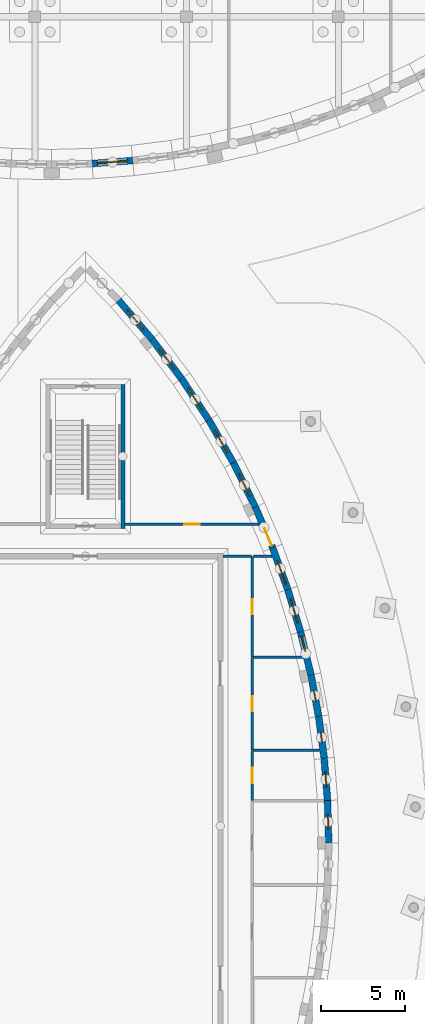
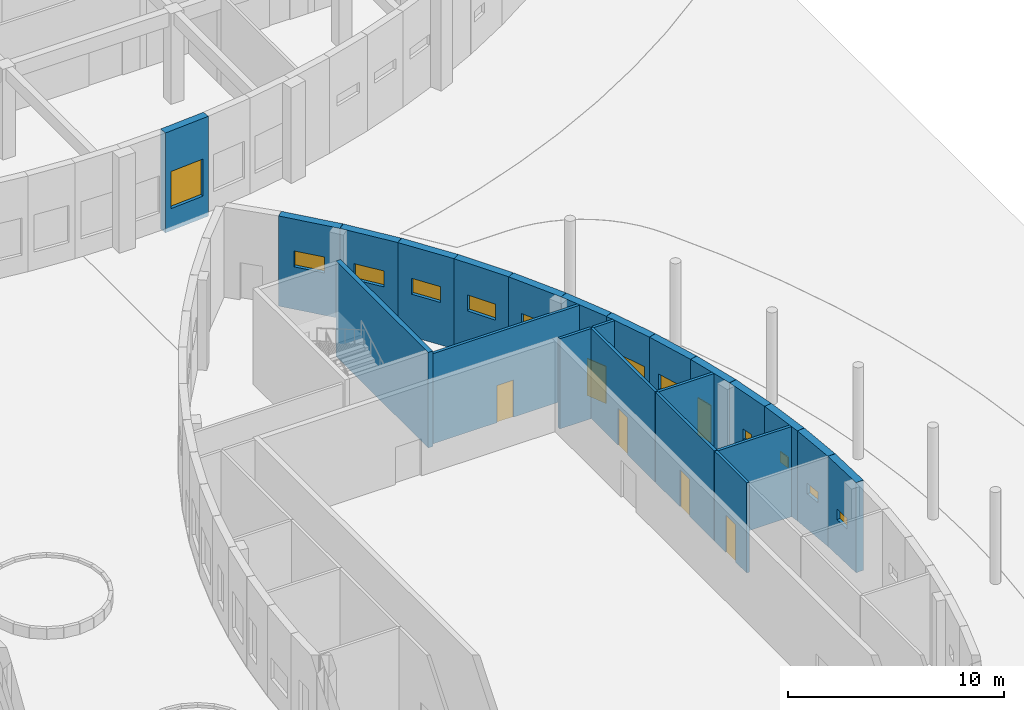
# One storey, part 66 of 82: 23 walls, 13 windows, 5 doors, 18 openings.
"""IFC4 building model written with IfcOpenShell, lengths in metres."""

from ifc_helpers import new_model, si_unit, direction, frame, frame_2d, origin, place, context, subcontext, project, spatial, rectangle, extrude, material, layer, layer_set, type_object, element, fill, save


model = new_model("IFC4")

# Units and contexts
model_context = context("Model", 3, precision=1e-05, world=origin(), true_north=direction((0.0, 1.0)))
body_context = subcontext(model_context, "Body", "Model", "MODEL_VIEW")
ifc_project = project(units=[si_unit("LENGTHUNIT", "METRE"), si_unit("AREAUNIT", "SQUARE_METRE"), si_unit("VOLUMEUNIT", "CUBIC_METRE"), si_unit("PLANEANGLEUNIT", "RADIAN"), si_unit("MASSUNIT", "GRAM", prefix="KILO")], contexts=[model_context])

# Site, building, storey
site_placement = place(None, origin())
site = spatial("IfcSite", under=ifc_project, at=site_placement, CompositionType="ELEMENT")
building_placement = place(site_placement, origin())
building = spatial("IfcBuilding", under=site, at=building_placement, Name="Tide Square Theatres", CompositionType="ELEMENT")
storey_placement = place(building_placement, origin())
storey = spatial("IfcBuildingStorey", under=building, at=storey_placement, Name="L00", CompositionType="ELEMENT", Elevation=0.0)

# Wall
ifc_material_1 = material(Name="Gypsum board on steel studs", Category="steel")
ifc_layer_1 = layer(ifc_material_1, 0.14990234375)
ifc_layer_set_1 = layer_set([ifc_layer_1], Name="Gypsum board on steel studs")
wall_type_1 = type_object("IfcWallType", Name="Partition 150 thick", PredefinedType="PARTITIONING", material=ifc_layer_set_1)
wall_1_placement = place(storey_placement, frame((141.840087890625, 62.0, 0.0), z_axis=(0.0, 0.0, 1.0), x_axis=(-1.0, 0.0, 0.0)))
element("IfcWall", 1, at=wall_1_placement, inside=storey, type_object=wall_type_1, Name="Black Box Theatre partition", PredefinedType="PARTITIONING", context=body_context, shape_type="SweptSolid", body=[
    extrude(rectangle(XDim=1.690673828125, YDim=0.14990234375, at=frame_2d((0.84521484375, 0.0))), origin(), (0.0, 0.0, 1.0), 5.10009765625),
])

# Wall, opening, door
wall_2_placement = place(storey_placement, frame((134.349609375, 63.89990234375, 0.0), z_axis=(0.0, 0.0, 1.0), x_axis=(1.0, 0.0, 0.0)))
wall_2 = element("IfcWall", 2, at=wall_2_placement, inside=storey, type_object=wall_type_1, Name="Black Box Theatre partition", PredefinedType="PARTITIONING", context=body_context, shape_type="SweptSolid", body=[
    extrude(rectangle(XDim=7.9462890625, YDim=0.14990234375, at=frame_2d((3.97314453125, 0.0))), origin(), (0.0, 0.0, 1.0), 5.10009765625),
])
opening_1_placement = place(wall_2_placement, frame((3.523193359375, 0.0, 0.0)))
opening_1 = element("IfcOpeningElement", 3, at=opening_1_placement, cuts=wall_2, Name="Opening B00-10", PredefinedType="OPENING", context=body_context, shape_type="SweptSolid", body=[
    extrude(rectangle(XDim=0.89990234375, YDim=2.10009765625, at=frame_2d((0.449951171875, 1.050048828125))), frame((0.0, 0.0849609375, 0.0), z_axis=(0.0, -1.0, 0.0), x_axis=(1.0, 0.0, 0.0)), (0.0, 0.0, 1.0), 0.169921875),
])
ifc_material_2 = material(Name="Hardwood timber", Category="wood")
door_type_1 = type_object("IfcDoorType", Name="Door 900 x 2100 single leaf", OperationType="NOTDEFINED", PredefinedType="DOOR", material=ifc_material_2)
door_1_placement = place(opening_1_placement, origin())
door_1 = element("IfcDoor", 4, at=door_1_placement, inside=storey, type_object=door_type_1, Name="Lighting Store door", OperationType="SINGLE_SWING_RIGHT", OverallHeight=2.10009765625, OverallWidth=0.89990234375, PredefinedType="DOOR", context=body_context, shape_type="SweptSolid", body=[
    extrude(rectangle(XDim=0.89990234375, YDim=2.10009765625, at=frame_2d((0.449951171875, 1.050048828125))), frame((0.0, 0.02490234375, 0.0), z_axis=(0.0, -1.0, 0.0), x_axis=(1.0, 0.0, 0.0)), (0.0, 0.0, 1.0), 0.050048828125),
])
fill(opening_1, door_1)

# Wall
wall_3_placement = place(storey_placement, frame((143.067138671875, 62.0, 0.0), z_axis=(0.0, 0.0, 1.0), x_axis=(-1.0, 0.0, 0.0)))
element("IfcWall", 5, at=wall_3_placement, inside=storey, type_object=wall_type_1, Name="Black Box Theatre partition", PredefinedType="PARTITIONING", context=body_context, shape_type="SweptSolid", body=[
    extrude(rectangle(XDim=1.107177734375, YDim=0.14990234375, at=frame_2d((0.5537109375, 0.0))), origin(), (0.0, 0.0, 1.0), 5.10009765625),
])

# Wall, opening, door
wall_4_placement = place(storey_placement, frame((141.89990234375, 50.47998046875, 0.0), z_axis=(0.0, 0.0, 1.0), x_axis=(0.0, -1.0, 0.0)))
wall_4 = element("IfcWall", 6, at=wall_4_placement, inside=storey, type_object=wall_type_1, Name="Black Box Theatre partition", PredefinedType="PARTITIONING", context=body_context, shape_type="SweptSolid", body=[
    extrude(rectangle(XDim=2.9599609375, YDim=0.14990234375, at=frame_2d((1.47998046875, 0.0))), origin(), (0.0, 0.0, 1.0), 5.10009765625),
])
opening_2_placement = place(wall_4_placement, frame((1.030029296875, 0.0, 0.0)))
opening_2 = element("IfcOpeningElement", 7, at=opening_2_placement, cuts=wall_4, Name="Opening B00-19", PredefinedType="OPENING", context=body_context, shape_type="SweptSolid", body=[
    extrude(rectangle(XDim=0.89990234375, YDim=2.10009765625, at=frame_2d((0.449951171875, 1.050048828125))), frame((0.0, 0.0849609375, 0.0), z_axis=(0.0, -1.0, 0.0), x_axis=(1.0, 0.0, 0.0)), (0.0, 0.0, 1.0), 0.169921875),
])
door_2_placement = place(opening_2_placement, origin())
door_2 = element("IfcDoor", 8, at=door_2_placement, inside=storey, type_object=door_type_1, Name="Accessible WC door", OperationType="SINGLE_SWING_RIGHT", OverallHeight=2.10009765625, OverallWidth=0.89990234375, PredefinedType="DOOR", context=body_context, shape_type="SweptSolid", body=[
    extrude(rectangle(XDim=0.89990234375, YDim=2.10009765625, at=frame_2d((0.449951171875, 1.050048828125))), frame((0.0, 0.02490234375, 0.0), z_axis=(0.0, -1.0, 0.0), x_axis=(1.0, 0.0, 0.0)), (0.0, 0.0, 1.0), 0.050048828125),
])
fill(opening_2, door_2)

wall_5_placement = place(storey_placement, frame((141.89990234375, 55.97998046875, 0.0), z_axis=(0.0, 0.0, 1.0), x_axis=(0.0, -1.0, 0.0)))
wall_5 = element("IfcWall", 9, at=wall_5_placement, inside=storey, type_object=wall_type_1, Name="Black Box Theatre partition", PredefinedType="PARTITIONING", context=body_context, shape_type="SweptSolid", body=[
    extrude(rectangle(XDim=5.4599609375, YDim=0.14990234375, at=frame_2d((2.72998046875, 0.0))), origin(), (0.0, 0.0, 1.0), 5.10009765625),
])
opening_3_placement = place(wall_5_placement, frame((2.280029296875, 0.0, 0.0)))
opening_3 = element("IfcOpeningElement", 10, at=opening_3_placement, cuts=wall_5, Name="Opening B00-20", PredefinedType="OPENING", context=body_context, shape_type="SweptSolid", body=[
    extrude(rectangle(XDim=0.89990234375, YDim=2.10009765625, at=frame_2d((0.449951171875, 1.050048828125))), frame((0.0, 0.0849609375, 0.0), z_axis=(0.0, -1.0, 0.0), x_axis=(1.0, 0.0, 0.0)), (0.0, 0.0, 1.0), 0.169921875),
])
door_3_placement = place(opening_3_placement, origin())
door_3 = element("IfcDoor", 11, at=door_3_placement, inside=storey, type_object=door_type_1, Name="Plant Room 02 door", OperationType="SINGLE_SWING_RIGHT", OverallHeight=2.10009765625, OverallWidth=0.89990234375, PredefinedType="DOOR", context=body_context, shape_type="SweptSolid", body=[
    extrude(rectangle(XDim=0.89990234375, YDim=2.10009765625, at=frame_2d((0.449951171875, 1.050048828125))), frame((0.0, 0.02490234375, 0.0), z_axis=(0.0, -1.0, 0.0), x_axis=(1.0, 0.0, 0.0)), (0.0, 0.0, 1.0), 0.050048828125),
])
fill(opening_3, door_3)

wall_6_placement = place(storey_placement, frame((141.89990234375, 61.97998046875, 0.0), z_axis=(0.0, 0.0, 1.0), x_axis=(0.0, -1.0, 0.0)))
wall_6 = element("IfcWall", 12, at=wall_6_placement, inside=storey, type_object=wall_type_1, Name="Black Box Theatre partition", PredefinedType="PARTITIONING", context=body_context, shape_type="SweptSolid", body=[
    extrude(rectangle(XDim=5.9599609375, YDim=0.14990234375, at=frame_2d((2.97998046875, 0.0))), origin(), (0.0, 0.0, 1.0), 5.10009765625),
])
opening_4_placement = place(wall_6_placement, frame((2.530029296875, 0.0, 0.0)))
opening_4 = element("IfcOpeningElement", 13, at=opening_4_placement, cuts=wall_6, Name="Opening B00-21", PredefinedType="OPENING", context=body_context, shape_type="SweptSolid", body=[
    extrude(rectangle(XDim=0.89990234375, YDim=2.10009765625, at=frame_2d((0.449951171875, 1.050048828125))), frame((0.0, 0.0849609375, 0.0), z_axis=(0.0, -1.0, 0.0), x_axis=(1.0, 0.0, 0.0)), (0.0, 0.0, 1.0), 0.169921875),
])
door_4_placement = place(opening_4_placement, origin())
door_4 = element("IfcDoor", 14, at=door_4_placement, inside=storey, type_object=door_type_1, Name="Store 01 door", OperationType="SINGLE_SWING_RIGHT", OverallHeight=2.10009765625, OverallWidth=0.89990234375, PredefinedType="DOOR", context=body_context, shape_type="SweptSolid", body=[
    extrude(rectangle(XDim=0.89990234375, YDim=2.10009765625, at=frame_2d((0.449951171875, 1.050048828125))), frame((0.0, 0.02490234375, 0.0), z_axis=(0.0, -1.0, 0.0), x_axis=(1.0, 0.0, 0.0)), (0.0, 0.0, 1.0), 0.050048828125),
])
fill(opening_4, door_4)

# Walls
wall_7_placement = place(storey_placement, frame((141.9599609375, 50.5, 0.0), z_axis=(0.0, 0.0, 1.0), x_axis=(1.0, 0.0, 0.0)))
element("IfcWall", 15, at=wall_7_placement, inside=storey, type_object=wall_type_1, Name="Black Box Theatre partition", PredefinedType="PARTITIONING", context=body_context, shape_type="SweptSolid", body=[
    extrude(rectangle(XDim=3.937744140625, YDim=0.14990234375, at=frame_2d((1.96875, 0.0))), origin(), (0.0, 0.0, 1.0), 5.10009765625),
])
wall_8_placement = place(storey_placement, frame((141.9599609375, 56.0, 0.0), z_axis=(0.0, 0.0, 1.0), x_axis=(1.0, 0.0, 0.0)))
element("IfcWall", 16, at=wall_8_placement, inside=storey, type_object=wall_type_1, Name="Black Box Theatre partition", PredefinedType="PARTITIONING", context=body_context, shape_type="SweptSolid", body=[
    extrude(rectangle(XDim=2.9609375, YDim=0.14990234375, at=frame_2d((1.48046875, 0.0))), origin(), (0.0, 0.0, 1.0), 5.10009765625),
])

# Wall, opening, window
ifc_material_3 = material(Name="Concrete C40", Category="concrete")
ifc_layer_2 = layer(ifc_material_3, 0.39990234375)
ifc_layer_set_2 = layer_set([ifc_layer_2], Name="Concrete C40")
wall_type_2 = type_object("IfcWallType", Name="RC curved wall 400 thick", PredefinedType="SOLIDWALL", material=ifc_layer_set_2)
wall_9_placement = place(storey_placement, frame((146.427001953125, 45.005126953125, 0.0), z_axis=(0.0, 0.0, 1.0), x_axis=(-0.026296399089, 0.999654189905, 0.0)))
wall_9 = element("IfcWall", 17, at=wall_9_placement, inside=storey, type_object=wall_type_2, Name="Black Box Theatre perimeter wall", PredefinedType="SOLIDWALL", context=body_context, shape_type="SweptSolid", body=[
    extrude(rectangle(XDim=2.49755859375, YDim=0.39990234375, at=frame_2d((1.248779296875, 0.0))), origin(), (0.0, 0.0, 1.0), 5.10009765625),
])
opening_5_placement = place(wall_9_placement, frame((0.798583984375, 0.0, 2.0)))
opening_5 = element("IfcOpeningElement", 18, at=opening_5_placement, cuts=wall_9, Name="Opening WN-12", PredefinedType="OPENING", context=body_context, shape_type="SweptSolid", body=[
    extrude(rectangle(XDim=0.89990234375, YDim=0.60009765625, at=frame_2d((0.449951171875, 0.300048828125))), frame((0.0, 0.2099609375, 0.0), z_axis=(0.0, -1.0, 0.0), x_axis=(1.0, 0.0, 0.0)), (0.0, 0.0, 1.0), 0.419921875),
])
ifc_material_4 = material(Name="Aluminium with laminated glass", Category="aluminium")
window_type_1 = type_object("IfcWindowType", Name="Window 900 x 600", PartitioningType="SINGLE_PANEL", PredefinedType="WINDOW", material=ifc_material_4)
window_1_placement = place(opening_5_placement, origin())
window_1 = element("IfcWindow", 19, at=window_1_placement, inside=storey, type_object=window_type_1, Name="Black Box Theatre Men's WC window", OverallHeight=0.60009765625, OverallWidth=0.89990234375, PartitioningType="SINGLE_PANEL", PredefinedType="WINDOW", context=body_context, shape_type="SweptSolid", body=[
    extrude(rectangle(XDim=0.89990234375, YDim=0.60009765625, at=frame_2d((0.449951171875, 0.300048828125))), frame((0.0, 0.030029296875, 0.0), z_axis=(0.0, -1.0, 0.0), x_axis=(1.0, 0.0, 0.0)), (0.0, 0.0, 1.0), 0.06005859375),
])
fill(opening_5, window_1)

wall_10_placement = place(storey_placement, frame((146.36083984375, 47.511962890625, 0.0), z_axis=(0.0, 0.0, 1.0), x_axis=(-0.078602769132, 0.996906015974, 0.0)))
wall_10 = element("IfcWall", 20, at=wall_10_placement, inside=storey, type_object=wall_type_2, Name="Black Box Theatre perimeter wall", PredefinedType="SOLIDWALL", context=body_context, shape_type="SweptSolid", body=[
    extrude(rectangle(XDim=2.497314453125, YDim=0.39990234375, at=frame_2d((1.24853515625, 0.0))), origin(), (0.0, 0.0, 1.0), 5.10009765625),
])
opening_6_placement = place(wall_10_placement, frame((0.798583984375, 0.0, 2.0)))
opening_6 = element("IfcOpeningElement", 21, at=opening_6_placement, cuts=wall_10, Name="Opening WN-12", PredefinedType="OPENING", context=body_context, shape_type="SweptSolid", body=[
    extrude(rectangle(XDim=0.89990234375, YDim=0.60009765625, at=frame_2d((0.449951171875, 0.300048828125))), frame((0.0, 0.2099609375, 0.0), z_axis=(0.0, -1.0, 0.0), x_axis=(1.0, 0.0, 0.0)), (0.0, 0.0, 1.0), 0.419921875),
])
window_2_placement = place(opening_6_placement, origin())
window_2 = element("IfcWindow", 22, at=window_2_placement, inside=storey, type_object=window_type_1, Name="Black Box Theatre Accessible WC window", OverallHeight=0.60009765625, OverallWidth=0.89990234375, PartitioningType="SINGLE_PANEL", PredefinedType="WINDOW", context=body_context, shape_type="SweptSolid", body=[
    extrude(rectangle(XDim=0.89990234375, YDim=0.60009765625, at=frame_2d((0.449951171875, 0.300048828125))), frame((0.0, 0.030029296875, 0.0), z_axis=(0.0, -1.0, 0.0), x_axis=(1.0, 0.0, 0.0)), (0.0, 0.0, 1.0), 0.06005859375),
])
fill(opening_6, window_2)

wall_11_placement = place(storey_placement, frame((146.163330078125, 50.011962890625, 0.0), z_axis=(0.0, 0.0, 1.0), x_axis=(-0.130722601708, 0.991418983782, 0.0)))
wall_11 = element("IfcWall", 23, at=wall_11_placement, inside=storey, type_object=wall_type_2, Name="Black Box Theatre perimeter wall", PredefinedType="SOLIDWALL", context=body_context, shape_type="SweptSolid", body=[
    extrude(rectangle(XDim=2.4970703125, YDim=0.39990234375, at=frame_2d((1.24853515625, 0.0))), origin(), (0.0, 0.0, 1.0), 5.10009765625),
])
opening_7_placement = place(wall_11_placement, frame((0.948486328125, 0.0, 2.39990234375)))
opening_7 = element("IfcOpeningElement", 24, at=opening_7_placement, cuts=wall_11, Name="Opening WN-13", PredefinedType="OPENING", context=body_context, shape_type="SweptSolid", body=[
    extrude(rectangle(XDim=0.60009765625, YDim=0.60009765625, at=frame_2d((0.300048828125, 0.300048828125))), frame((0.0, 0.2099609375, 0.0), z_axis=(0.0, -1.0, 0.0), x_axis=(1.0, 0.0, 0.0)), (0.0, 0.0, 1.0), 0.419921875),
])
ifc_material_5 = material(Name="Aluminium with laminated glass", Category="aluminium")
window_type_2 = type_object("IfcWindowType", Name="Window 600 x 600", PartitioningType="SINGLE_PANEL", PredefinedType="WINDOW", material=ifc_material_5)
window_3_placement = place(opening_7_placement, origin())
window_3 = element("IfcWindow", 25, at=window_3_placement, inside=storey, type_object=window_type_2, Name="Black Box Theatre Plant Room 02 window", OverallHeight=0.60009765625, OverallWidth=0.60009765625, PartitioningType="SINGLE_PANEL", PredefinedType="WINDOW", context=body_context, shape_type="SweptSolid", body=[
    extrude(rectangle(XDim=0.60009765625, YDim=0.60009765625, at=frame_2d((0.300048828125, 0.300048828125))), frame((0.0, 0.030029296875, 0.0), z_axis=(0.0, -1.0, 0.0), x_axis=(1.0, 0.0, 0.0)), (0.0, 0.0, 1.0), 0.06005859375),
])
fill(opening_7, window_3)

wall_12_placement = place(storey_placement, frame((145.835205078125, 52.498046875, 0.0), z_axis=(0.0, 0.0, 1.0), x_axis=(-0.182652956339, 0.983177449671, 0.0)))
wall_12 = element("IfcWall", 26, at=wall_12_placement, inside=storey, type_object=wall_type_2, Name="Black Box Theatre perimeter wall", PredefinedType="SOLIDWALL", context=body_context, shape_type="SweptSolid", body=[
    extrude(rectangle(XDim=2.496826171875, YDim=0.39990234375, at=frame_2d((1.24853515625, 0.0))), origin(), (0.0, 0.0, 1.0), 5.10009765625),
])
opening_8_placement = place(wall_12_placement, frame((0.948486328125, 0.0, 2.39990234375)))
opening_8 = element("IfcOpeningElement", 27, at=opening_8_placement, cuts=wall_12, Name="Opening WN-13", PredefinedType="OPENING", context=body_context, shape_type="SweptSolid", body=[
    extrude(rectangle(XDim=0.60009765625, YDim=0.60009765625, at=frame_2d((0.300048828125, 0.300048828125))), frame((0.0, 0.2099609375, 0.0), z_axis=(0.0, -1.0, 0.0), x_axis=(1.0, 0.0, 0.0)), (0.0, 0.0, 1.0), 0.419921875),
])
window_4_placement = place(opening_8_placement, origin())
window_4 = element("IfcWindow", 28, at=window_4_placement, inside=storey, type_object=window_type_2, Name="Black Box Theatre Plant Room 02 window", OverallHeight=0.60009765625, OverallWidth=0.60009765625, PartitioningType="SINGLE_PANEL", PredefinedType="WINDOW", context=body_context, shape_type="SweptSolid", body=[
    extrude(rectangle(XDim=0.60009765625, YDim=0.60009765625, at=frame_2d((0.300048828125, 0.300048828125))), frame((0.0, 0.030029296875, 0.0), z_axis=(0.0, -1.0, 0.0), x_axis=(1.0, 0.0, 0.0)), (0.0, 0.0, 1.0), 0.06005859375),
])
fill(opening_8, window_4)

wall_13_placement = place(storey_placement, frame((145.376953125, 54.96337890625, 0.0), z_axis=(0.0, 0.0, 1.0), x_axis=(-0.235108668597, 0.971969091047, 0.0)))
wall_13 = element("IfcWall", 29, at=wall_13_placement, inside=storey, type_object=wall_type_2, Name="Black Box Theatre perimeter wall", PredefinedType="SOLIDWALL", context=body_context, shape_type="SweptSolid", body=[
    extrude(rectangle(XDim=2.61669921875, YDim=0.39990234375, at=frame_2d((1.308349609375, 0.0))), origin(), (0.0, 0.0, 1.0), 5.10009765625),
])
opening_9_placement = place(wall_13_placement, frame((1.44091796875, 0.0, 0.89990234375)))
opening_9 = element("IfcOpeningElement", 30, at=opening_9_placement, cuts=wall_13, Name="Opening WN-10", PredefinedType="OPENING", context=body_context, shape_type="SweptSolid", body=[
    extrude(rectangle(XDim=0.89990234375, YDim=2.10009765625, at=frame_2d((0.449951171875, 1.050048828125))), frame((0.0, 0.2099609375, 0.0), z_axis=(0.0, -1.0, 0.0), x_axis=(1.0, 0.0, 0.0)), (0.0, 0.0, 1.0), 0.419921875),
])
ifc_material_6 = material(Name="Aluminium with laminated glass", Category="aluminium")
window_type_3 = type_object("IfcWindowType", Name="Window 900 x 2100", PartitioningType="SINGLE_PANEL", PredefinedType="WINDOW", material=ifc_material_6)
window_5_placement = place(opening_9_placement, origin())
window_5 = element("IfcWindow", 31, at=window_5_placement, inside=storey, type_object=window_type_3, Name="Black Box Theatre Store 01 window", OverallHeight=2.10009765625, OverallWidth=0.89990234375, PartitioningType="SINGLE_PANEL", PredefinedType="WINDOW", context=body_context, shape_type="SweptSolid", body=[
    extrude(rectangle(XDim=0.89990234375, YDim=2.10009765625, at=frame_2d((0.449951171875, 1.050048828125))), frame((0.0, 0.030029296875, 0.0), z_axis=(0.0, -1.0, 0.0), x_axis=(1.0, 0.0, 0.0)), (0.0, 0.0, 1.0), 0.06005859375),
])
fill(opening_9, window_5)

wall_14_placement = place(storey_placement, frame((144.7587890625, 57.517333984375, 0.0), z_axis=(0.0, 0.0, 1.0), x_axis=(-0.288212317298, 0.957566530408, 0.0)))
wall_14 = element("IfcWall", 32, at=wall_14_placement, inside=storey, type_object=wall_type_2, Name="Black Box Theatre perimeter wall", PredefinedType="SOLIDWALL", context=body_context, shape_type="SweptSolid", body=[
    extrude(rectangle(XDim=2.61669921875, YDim=0.39990234375, at=frame_2d((1.308349609375, 0.0))), origin(), (0.0, 0.0, 1.0), 5.10009765625),
])
opening_10_placement = place(wall_14_placement, frame((0.558349609375, 0.0, 2.39990234375)))
opening_10 = element("IfcOpeningElement", 33, at=opening_10_placement, cuts=wall_14, Name="Opening WN-04", PredefinedType="OPENING", context=body_context, shape_type="SweptSolid", body=[
    extrude(rectangle(XDim=1.5, YDim=0.89990234375, at=frame_2d((0.75, 0.449951171875))), frame((0.0, 0.2099609375, 0.0), z_axis=(0.0, -1.0, 0.0), x_axis=(1.0, 0.0, 0.0)), (0.0, 0.0, 1.0), 0.419921875),
])
ifc_material_7 = material(Name="Aluminium with laminated glass", Category="aluminium")
window_type_4 = type_object("IfcWindowType", Name="Window 1500 x 900", PartitioningType="SINGLE_PANEL", PredefinedType="WINDOW", material=ifc_material_7)
window_6_placement = place(opening_10_placement, origin())
window_6 = element("IfcWindow", 34, at=window_6_placement, inside=storey, type_object=window_type_4, Name="Black Box Theatre Store 01 window", OverallHeight=0.89990234375, OverallWidth=1.5, PartitioningType="SINGLE_PANEL", PredefinedType="WINDOW", context=body_context, shape_type="SweptSolid", body=[
    extrude(rectangle(XDim=1.5, YDim=0.89990234375, at=frame_2d((0.75, 0.449951171875))), frame((0.0, 0.030029296875, 0.0), z_axis=(0.0, -1.0, 0.0), x_axis=(1.0, 0.0, 0.0)), (0.0, 0.0, 1.0), 0.06005859375),
])
fill(opening_10, window_6)

wall_15_placement = place(storey_placement, frame((144.001220703125, 60.033447265625, 0.0), z_axis=(0.0, 0.0, 1.0), x_axis=(-0.340394146267, 0.940282843184, 0.0)))
wall_15 = element("IfcWall", 35, at=wall_15_placement, inside=storey, type_object=wall_type_2, Name="Black Box Theatre perimeter wall", PredefinedType="SOLIDWALL", context=body_context, shape_type="SweptSolid", body=[
    extrude(rectangle(XDim=2.616455078125, YDim=0.39990234375, at=frame_2d((1.30810546875, 0.0))), origin(), (0.0, 0.0, 1.0), 5.10009765625),
])
opening_11_placement = place(wall_15_placement, frame((0.306884765625, 0.0, 2.39990234375)))
opening_11 = element("IfcOpeningElement", 36, at=opening_11_placement, cuts=wall_15, Name="Opening WN-04", PredefinedType="OPENING", context=body_context, shape_type="SweptSolid", body=[
    extrude(rectangle(XDim=1.5, YDim=0.89990234375, at=frame_2d((0.75, 0.449951171875))), frame((0.0, 0.2099609375, 0.0), z_axis=(0.0, -1.0, 0.0), x_axis=(1.0, 0.0, 0.0)), (0.0, 0.0, 1.0), 0.419921875),
])
window_7_placement = place(opening_11_placement, origin())
window_7 = element("IfcWindow", 37, at=window_7_placement, inside=storey, type_object=window_type_4, Name="Black Box Theatre Store 01 window", OverallHeight=0.89990234375, OverallWidth=1.5, PartitioningType="SINGLE_PANEL", PredefinedType="WINDOW", context=body_context, shape_type="SweptSolid", body=[
    extrude(rectangle(XDim=1.5, YDim=0.89990234375, at=frame_2d((0.75, 0.449951171875))), frame((0.0, 0.030029296875, 0.0), z_axis=(0.0, -1.0, 0.0), x_axis=(1.0, 0.0, 0.0)), (0.0, 0.0, 1.0), 0.06005859375),
])
fill(opening_11, window_7)

# Wall, opening, door
wall_16_placement = place(storey_placement, frame((143.106689453125, 62.50390625, 0.0), z_axis=(0.0, 0.0, 1.0), x_axis=(-0.391529943778, 0.920165367271, 0.0)))
wall_16 = element("IfcWall", 38, at=wall_16_placement, inside=storey, type_object=wall_type_2, Name="Black Box Theatre perimeter wall", PredefinedType="SOLIDWALL", context=body_context, shape_type="SweptSolid", body=[
    extrude(rectangle(XDim=2.61572265625, YDim=0.39990234375, at=frame_2d((1.307861328125, 0.0))), origin(), (0.0, 0.0, 1.0), 5.10009765625),
])
opening_12_placement = place(wall_16_placement, frame((0.14990234375, 0.0, 0.0)))
opening_12 = element("IfcOpeningElement", 39, at=opening_12_placement, cuts=wall_16, Name="Opening B00-02", PredefinedType="OPENING", context=body_context, shape_type="SweptSolid", body=[
    extrude(rectangle(XDim=1.10009765625, YDim=2.10009765625, at=frame_2d((0.550048828125, 1.050048828125))), frame((0.0, 0.2099609375, 0.0), z_axis=(0.0, -1.0, 0.0), x_axis=(1.0, 0.0, 0.0)), (0.0, 0.0, 1.0), 0.419921875),
])
ifc_material_8 = material(Name="Painted steel", Category="steel")
door_type_2 = type_object("IfcDoorType", Name="Door 1100 x 2100 single leaf", OperationType="NOTDEFINED", PredefinedType="DOOR", material=ifc_material_8)
door_5_placement = place(opening_12_placement, frame((1.10009765625, 0.0, 0.0), z_axis=(0.0, 0.0, 1.0), x_axis=(-1.0, 0.0, 0.0)))
door_5 = element("IfcDoor", 40, at=door_5_placement, inside=storey, type_object=door_type_2, Name="Black Box Theatre stage door exit north-east", OperationType="SINGLE_SWING_LEFT", OverallHeight=2.10009765625, OverallWidth=1.10009765625, PredefinedType="DOOR", context=body_context, shape_type="SweptSolid", body=[
    extrude(rectangle(XDim=1.10009765625, YDim=2.10009765625, at=frame_2d((0.550048828125, 1.050048828125))), frame((0.0, 0.02490234375, 0.0), z_axis=(0.0, -1.0, 0.0), x_axis=(1.0, 0.0, 0.0)), (0.0, 0.0, 1.0), 0.050048828125),
])
fill(opening_12, door_5)

# Wall, opening, window
wall_17_placement = place(storey_placement, frame((142.07763671875, 64.921630859375, 0.0), z_axis=(0.0, 0.0, 1.0), x_axis=(-0.44433489597, 0.895860759395, 0.0)))
wall_17 = element("IfcWall", 41, at=wall_17_placement, inside=storey, type_object=wall_type_2, Name="Black Box Theatre perimeter wall", PredefinedType="SOLIDWALL", context=body_context, shape_type="SweptSolid", body=[
    extrude(rectangle(XDim=2.919677734375, YDim=0.39990234375, at=frame_2d((1.4599609375, 0.0))), origin(), (0.0, 0.0, 1.0), 5.10009765625),
])
opening_13_placement = place(wall_17_placement, frame((0.7099609375, 0.0, 2.39990234375)))
opening_13 = element("IfcOpeningElement", 42, at=opening_13_placement, cuts=wall_17, Name="Opening WN-04", PredefinedType="OPENING", context=body_context, shape_type="SweptSolid", body=[
    extrude(rectangle(XDim=1.5, YDim=0.89990234375, at=frame_2d((0.75, 0.449951171875))), frame((0.0, 0.2099609375, 0.0), z_axis=(0.0, -1.0, 0.0), x_axis=(1.0, 0.0, 0.0)), (0.0, 0.0, 1.0), 0.419921875),
])
window_8_placement = place(opening_13_placement, origin())
window_8 = element("IfcWindow", 43, at=window_8_placement, inside=storey, type_object=window_type_4, Name="Black Box Theatre Lighting Store window", OverallHeight=0.89990234375, OverallWidth=1.5, PartitioningType="SINGLE_PANEL", PredefinedType="WINDOW", context=body_context, shape_type="SweptSolid", body=[
    extrude(rectangle(XDim=1.5, YDim=0.89990234375, at=frame_2d((0.75, 0.449951171875))), frame((0.0, 0.030029296875, 0.0), z_axis=(0.0, -1.0, 0.0), x_axis=(1.0, 0.0, 0.0)), (0.0, 0.0, 1.0), 0.06005859375),
])
fill(opening_13, window_8)

wall_18_placement = place(storey_placement, frame((140.7744140625, 67.548095703125, 0.0), z_axis=(0.0, 0.0, 1.0), x_axis=(-0.498406705095, 0.866943340892, 0.0)))
wall_18 = element("IfcWall", 44, at=wall_18_placement, inside=storey, type_object=wall_type_2, Name="Black Box Theatre perimeter wall", PredefinedType="SOLIDWALL", context=body_context, shape_type="SweptSolid", body=[
    extrude(rectangle(XDim=2.91943359375, YDim=0.39990234375, at=frame_2d((1.459716796875, 0.0))), origin(), (0.0, 0.0, 1.0), 5.10009765625),
])
opening_14_placement = place(wall_18_placement, frame((0.709716796875, 0.0, 2.39990234375)))
opening_14 = element("IfcOpeningElement", 45, at=opening_14_placement, cuts=wall_18, Name="Opening WN-04", PredefinedType="OPENING", context=body_context, shape_type="SweptSolid", body=[
    extrude(rectangle(XDim=1.5, YDim=0.89990234375, at=frame_2d((0.75, 0.449951171875))), frame((0.0, 0.2099609375, 0.0), z_axis=(0.0, -1.0, 0.0), x_axis=(1.0, 0.0, 0.0)), (0.0, 0.0, 1.0), 0.419921875),
])
window_9_placement = place(opening_14_placement, origin())
window_9 = element("IfcWindow", 46, at=window_9_placement, inside=storey, type_object=window_type_4, Name="Black Box Theatre Lighting Store window", OverallHeight=0.89990234375, OverallWidth=1.5, PartitioningType="SINGLE_PANEL", PredefinedType="WINDOW", context=body_context, shape_type="SweptSolid", body=[
    extrude(rectangle(XDim=1.5, YDim=0.89990234375, at=frame_2d((0.75, 0.449951171875))), frame((0.0, 0.030029296875, 0.0), z_axis=(0.0, -1.0, 0.0), x_axis=(1.0, 0.0, 0.0)), (0.0, 0.0, 1.0), 0.06005859375),
])
fill(opening_14, window_9)

wall_19_placement = place(storey_placement, frame((139.31298828125, 70.08935546875, 0.0), z_axis=(0.0, 0.0, 1.0), x_axis=(-0.550602185206, 0.834767772285, 0.0)))
wall_19 = element("IfcWall", 47, at=wall_19_placement, inside=storey, type_object=wall_type_2, Name="Black Box Theatre perimeter wall", PredefinedType="SOLIDWALL", context=body_context, shape_type="SweptSolid", body=[
    extrude(rectangle(XDim=2.91943359375, YDim=0.39990234375, at=frame_2d((1.459716796875, 0.0))), origin(), (0.0, 0.0, 1.0), 5.10009765625),
])
opening_15_placement = place(wall_19_placement, frame((0.709716796875, 0.0, 2.39990234375)))
opening_15 = element("IfcOpeningElement", 48, at=opening_15_placement, cuts=wall_19, Name="Opening WN-04", PredefinedType="OPENING", context=body_context, shape_type="SweptSolid", body=[
    extrude(rectangle(XDim=1.5, YDim=0.89990234375, at=frame_2d((0.75, 0.449951171875))), frame((0.0, 0.2099609375, 0.0), z_axis=(0.0, -1.0, 0.0), x_axis=(1.0, 0.0, 0.0)), (0.0, 0.0, 1.0), 0.419921875),
])
window_10_placement = place(opening_15_placement, origin())
window_10 = element("IfcWindow", 49, at=window_10_placement, inside=storey, type_object=window_type_4, Name="Black Box Theatre Lighting Store window", OverallHeight=0.89990234375, OverallWidth=1.5, PartitioningType="SINGLE_PANEL", PredefinedType="WINDOW", context=body_context, shape_type="SweptSolid", body=[
    extrude(rectangle(XDim=1.5, YDim=0.89990234375, at=frame_2d((0.75, 0.449951171875))), frame((0.0, 0.030029296875, 0.0), z_axis=(0.0, -1.0, 0.0), x_axis=(1.0, 0.0, 0.0)), (0.0, 0.0, 1.0), 0.06005859375),
])
fill(opening_15, window_10)

wall_20_placement = place(storey_placement, frame((137.698486328125, 72.536376953125, 0.0), z_axis=(0.0, 0.0, 1.0), x_axis=(-0.600829330321, 0.799377330068, 0.0)))
wall_20 = element("IfcWall", 50, at=wall_20_placement, inside=storey, type_object=wall_type_2, Name="Black Box Theatre perimeter wall", PredefinedType="SOLIDWALL", context=body_context, shape_type="SweptSolid", body=[
    extrude(rectangle(XDim=2.919189453125, YDim=0.39990234375, at=frame_2d((1.45947265625, 0.0))), origin(), (0.0, 0.0, 1.0), 5.10009765625),
])
opening_16_placement = place(wall_20_placement, frame((0.709716796875, 0.0, 2.39990234375)))
opening_16 = element("IfcOpeningElement", 51, at=opening_16_placement, cuts=wall_20, Name="Opening WN-04", PredefinedType="OPENING", context=body_context, shape_type="SweptSolid", body=[
    extrude(rectangle(XDim=1.5, YDim=0.89990234375, at=frame_2d((0.75, 0.449951171875))), frame((0.0, 0.2099609375, 0.0), z_axis=(0.0, -1.0, 0.0), x_axis=(1.0, 0.0, 0.0)), (0.0, 0.0, 1.0), 0.419921875),
])
window_11_placement = place(opening_16_placement, origin())
window_11 = element("IfcWindow", 52, at=window_11_placement, inside=storey, type_object=window_type_4, Name="Black Box Theatre Lighting Store window", OverallHeight=0.89990234375, OverallWidth=1.5, PartitioningType="SINGLE_PANEL", PredefinedType="WINDOW", context=body_context, shape_type="SweptSolid", body=[
    extrude(rectangle(XDim=1.5, YDim=0.89990234375, at=frame_2d((0.75, 0.449951171875))), frame((0.0, 0.030029296875, 0.0), z_axis=(0.0, -1.0, 0.0), x_axis=(1.0, 0.0, 0.0)), (0.0, 0.0, 1.0), 0.06005859375),
])
fill(opening_16, window_11)

wall_21_placement = place(storey_placement, frame((135.93701171875, 74.879638671875, 0.0), z_axis=(0.0, 0.0, 1.0), x_axis=(-0.649458578854, 0.760396971557, 0.0)))
wall_21 = element("IfcWall", 53, at=wall_21_placement, inside=storey, type_object=wall_type_2, Name="Black Box Theatre perimeter wall", PredefinedType="SOLIDWALL", context=body_context, shape_type="SweptSolid", body=[
    extrude(rectangle(XDim=3.019287109375, YDim=0.39990234375, at=frame_2d((1.509765625, 0.0))), origin(), (0.0, 0.0, 1.0), 5.10009765625),
])
opening_17_placement = place(wall_21_placement, frame((0.759521484375, 0.0, 2.39990234375)))
opening_17 = element("IfcOpeningElement", 54, at=opening_17_placement, cuts=wall_21, Name="Opening WN-04", PredefinedType="OPENING", context=body_context, shape_type="SweptSolid", body=[
    extrude(rectangle(XDim=1.5, YDim=0.89990234375, at=frame_2d((0.75, 0.449951171875))), frame((0.0, 0.2099609375, 0.0), z_axis=(0.0, -1.0, 0.0), x_axis=(1.0, 0.0, 0.0)), (0.0, 0.0, 1.0), 0.419921875),
])
window_12_placement = place(opening_17_placement, origin())
window_12 = element("IfcWindow", 55, at=window_12_placement, inside=storey, type_object=window_type_4, Name="Black Box Theatre Lighting Store window", OverallHeight=0.89990234375, OverallWidth=1.5, PartitioningType="SINGLE_PANEL", PredefinedType="WINDOW", context=body_context, shape_type="SweptSolid", body=[
    extrude(rectangle(XDim=1.5, YDim=0.89990234375, at=frame_2d((0.75, 0.449951171875))), frame((0.0, 0.030029296875, 0.0), z_axis=(0.0, -1.0, 0.0), x_axis=(1.0, 0.0, 0.0)), (0.0, 0.0, 1.0), 0.06005859375),
])
fill(opening_17, window_12)

wall_22_placement = place(storey_placement, frame((132.4052734375, 85.291748046875, -0.25), z_axis=(0.0, 0.0, 1.0), x_axis=(0.997146276918, 0.075493724435, 0.0)))
wall_22 = element("IfcWall", 56, at=wall_22_placement, inside=storey, type_object=wall_type_2, Name="Rehearsal Block perimeter wall 015", PredefinedType="SOLIDWALL", context=body_context, shape_type="SweptSolid", body=[
    extrude(rectangle(XDim=2.406005859375, YDim=0.39990234375, at=frame_2d((1.203125, 0.0))), origin(), (0.0, 0.0, 1.0), 5.64990234375),
])
opening_18_placement = place(wall_22_placement, frame((0.302978515625, 0.0, 1.25)))
opening_18 = element("IfcOpeningElement", 57, at=opening_18_placement, cuts=wall_22, Name="Opening WN-14", PredefinedType="OPENING", context=body_context, shape_type="SweptSolid", body=[
    extrude(rectangle(XDim=1.800048828125, YDim=2.10009765625, at=frame_2d((0.89990234375, 1.050048828125))), frame((0.0, 0.2099609375, 0.0), z_axis=(0.0, -1.0, 0.0), x_axis=(1.0, 0.0, 0.0)), (0.0, 0.0, 1.0), 0.419921875),
])
ifc_material_9 = material(Name="Aluminium with laminated glass", Category="aluminium")
window_type_5 = type_object("IfcWindowType", Name="Window 1800 x 2100", PartitioningType="DOUBLE_PANEL_VERTICAL", PredefinedType="WINDOW", material=ifc_material_9)
window_13_placement = place(opening_18_placement, origin())
window_13 = element("IfcWindow", 58, at=window_13_placement, inside=storey, type_object=window_type_5, Name="Rehearsal Block window L00-15", OverallHeight=2.10009765625, OverallWidth=1.800048828125, PartitioningType="SINGLE_PANEL", PredefinedType="WINDOW", context=body_context, shape_type="SweptSolid", body=[
    extrude(rectangle(XDim=1.800048828125, YDim=2.10009765625, at=frame_2d((0.89990234375, 1.050048828125))), frame((0.0, 0.030029296875, 0.0), z_axis=(0.0, -1.0, 0.0), x_axis=(1.0, 0.0, 0.0)), (0.0, 0.0, 1.0), 0.06005859375),
])
fill(opening_18, window_13)

# Wall
ifc_material_10 = material(Name="Concrete C40", Category="concrete")
ifc_layer_3 = layer(ifc_material_10, 0.25)
ifc_layer_set_3 = layer_set([ifc_layer_3], Name="Concrete C40")
wall_type_3 = type_object("IfcWallType", Name="RC shear wall 250 thick", PredefinedType="SHEAR", material=ifc_layer_set_3)
wall_23_placement = place(storey_placement, frame((134.22509765625, 63.64990234375, 0.0), z_axis=(0.0, 0.0, 1.0), x_axis=(0.0, 1.0, 0.0)))
element("IfcWall", 59, at=wall_23_placement, inside=storey, type_object=wall_type_3, Name="Black Box Theatre Stair B1 shaft wall", PredefinedType="SHEAR", context=body_context, shape_type="SweptSolid", body=[
    extrude(rectangle(XDim=8.550048828125, YDim=0.25, at=frame_2d((4.27490234375, 0.0))), origin(), (0.0, 0.0, 1.0), 5.39990234375),
])

save(model, "model.ifc")
